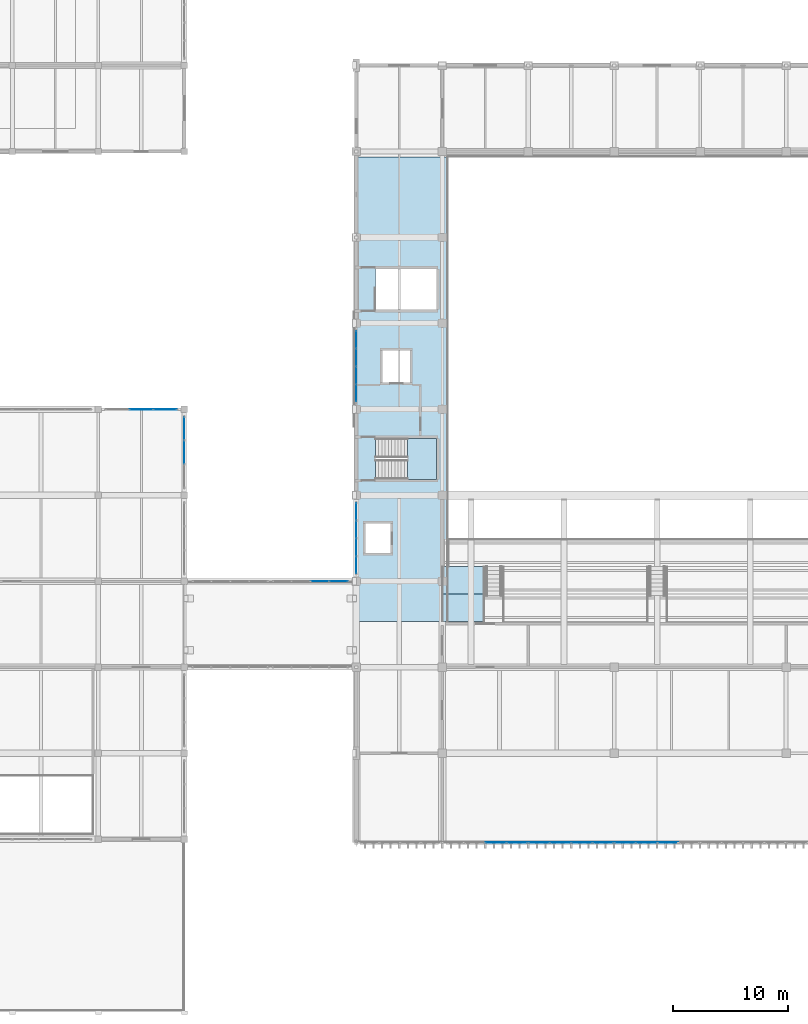
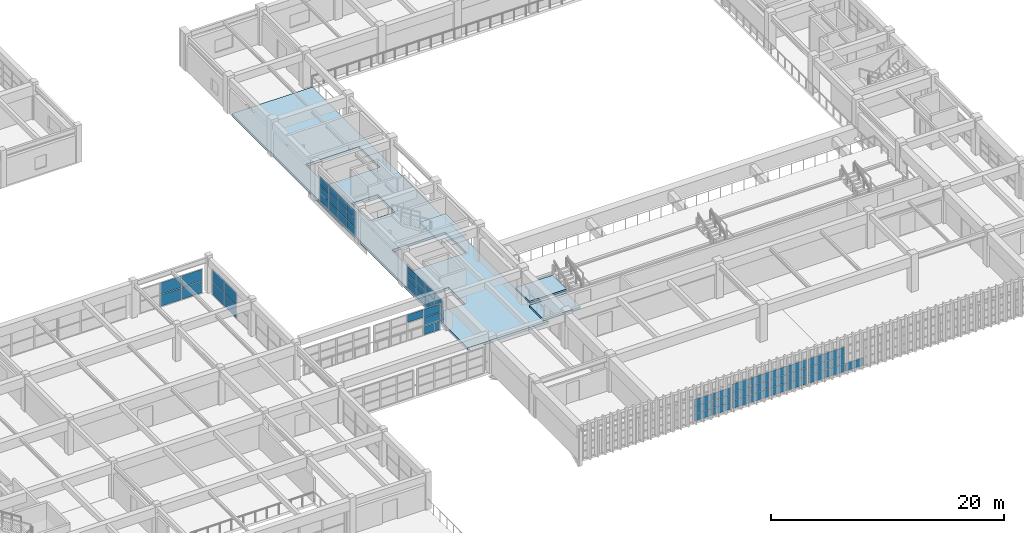
# One storey, part 64 of 101: 61 plates, 4 slabs, 9 elements without a shape of their own.
"""IFC4 building model written with IfcOpenShell, lengths in metres."""

from ifc_helpers import new_model, si_unit, direction, frame, origin, origin_2d, place, context, subcontext, project, spatial, polyline, rectangle, outline, extrude, material, layer, layer_set, type_object, element, aggregate, save


model = new_model("IFC4")

# Units and contexts
model_context = context("Model", 3, precision=1e-05, world=origin(), true_north=direction((0.0, 1.0)))
body_context = subcontext(model_context, "Body", "Model", "MODEL_VIEW")
ifc_project = project(units=[si_unit("LENGTHUNIT", "METRE"), si_unit("AREAUNIT", "SQUARE_METRE"), si_unit("VOLUMEUNIT", "CUBIC_METRE"), si_unit("PLANEANGLEUNIT", "RADIAN"), si_unit("MASSUNIT", "GRAM", prefix="KILO")], contexts=[model_context])

# Site, building, storey
site_placement = place(None, origin())
site = spatial("IfcSite", under=ifc_project, at=site_placement, CompositionType="ELEMENT")
building_placement = place(site_placement, origin())
building = spatial("IfcBuilding", under=site, at=building_placement, Name="Qasida Concert Hall", CompositionType="ELEMENT")
storey_placement = place(building_placement, frame((0.0, 0.0, 13.199951171875)))
storey = spatial("IfcBuildingStorey", under=building, at=storey_placement, Name="L03", CompositionType="ELEMENT", Elevation=13.199951171875)

# Curtain wall, plates
ifc_material_1 = material(Name="Architectural bronze-anodized aluminium and low-E glass", Category="aluminium")
curtain_wall_type_1 = type_object("IfcCurtainWallType", Name="CW-04", PredefinedType="NOTDEFINED", material=ifc_material_1)
curtain_wall_1_placement = place(storey_placement, origin())
curtain_wall_1 = element("IfcCurtainWall", 1, at=curtain_wall_1_placement, inside=storey, type_object=curtain_wall_type_1, Name="L03 curtain wall CW-04 0016", PredefinedType="NOTDEFINED")
ifc_material_2 = material(Name="Solar-control low-E double glazing", Category="glass")
ifc_layer_1 = layer(ifc_material_2, 0.031982421875, Name="Solar-control low-E double glazing")
ifc_layer_set_1 = layer_set([ifc_layer_1], Name="Solar-control low-E double glazing")
plate_type_1 = type_object("IfcPlateType", Name="PLT-CWP-2", PredefinedType="CURTAIN_PANEL", material=ifc_layer_set_1)
plate_1_placement = place(storey_placement, frame((64.6826171875, 14.699951171875, 0.06005859375), z_axis=(0.0, 0.0, 1.0), x_axis=(1.0, 0.0, 0.0)))
plate_1 = element("IfcPlate", 2, at=plate_1_placement, type_object=plate_type_1, Name="CW-04 panel 3.1", PredefinedType="CURTAIN_PANEL", context=body_context, shape_type="SweptSolid", body=[
    extrude(rectangle(XDim=1.800048828125, YDim=0.031982421875, at=origin_2d()), origin(), (0.0, 0.0, 1.0), 0.706787109375),
])
plate_2_placement = place(storey_placement, frame((64.6826171875, 14.699951171875, 0.82666015625), z_axis=(0.0, 0.0, 1.0), x_axis=(1.0, 0.0, 0.0)))
plate_2 = element("IfcPlate", 3, at=plate_2_placement, type_object=plate_type_1, Name="CW-04 panel 3.2", PredefinedType="CURTAIN_PANEL", context=body_context, shape_type="SweptSolid", body=[
    extrude(rectangle(XDim=1.800048828125, YDim=0.031982421875, at=origin_2d()), origin(), (0.0, 0.0, 1.0), 0.736572265625),
])
plate_3_placement = place(storey_placement, frame((64.6826171875, 14.699951171875, 1.62353515625), z_axis=(0.0, 0.0, 1.0), x_axis=(1.0, 0.0, 0.0)))
plate_3 = element("IfcPlate", 4, at=plate_3_placement, type_object=plate_type_1, Name="CW-04 panel 3.3", PredefinedType="CURTAIN_PANEL", context=body_context, shape_type="SweptSolid", body=[
    extrude(rectangle(XDim=1.800048828125, YDim=0.031982421875, at=origin_2d()), origin(), (0.0, 0.0, 1.0), 0.706787109375),
])
plate_4_placement = place(storey_placement, frame((66.53125, 14.699951171875, 0.06005859375), z_axis=(0.0, 0.0, 1.0), x_axis=(1.0, 0.0, 0.0)))
plate_4 = element("IfcPlate", 5, at=plate_4_placement, type_object=plate_type_1, Name="CW-04 panel 4.1", PredefinedType="CURTAIN_PANEL", context=body_context, shape_type="SweptSolid", body=[
    extrude(rectangle(XDim=1.767578125, YDim=0.031982421875, at=origin_2d()), origin(), (0.0, 0.0, 1.0), 0.706787109375),
])
plate_5_placement = place(storey_placement, frame((66.53125, 14.699951171875, 0.82666015625), z_axis=(0.0, 0.0, 1.0), x_axis=(1.0, 0.0, 0.0)))
plate_5 = element("IfcPlate", 6, at=plate_5_placement, type_object=plate_type_1, Name="CW-04 panel 4.2", PredefinedType="CURTAIN_PANEL", context=body_context, shape_type="SweptSolid", body=[
    extrude(rectangle(XDim=1.767578125, YDim=0.031982421875, at=origin_2d()), origin(), (0.0, 0.0, 1.0), 0.736572265625),
])
plate_6_placement = place(storey_placement, frame((66.53125, 14.699951171875, 1.62353515625), z_axis=(0.0, 0.0, 1.0), x_axis=(1.0, 0.0, 0.0)))
plate_6 = element("IfcPlate", 7, at=plate_6_placement, type_object=plate_type_1, Name="CW-04 panel 4.3", PredefinedType="CURTAIN_PANEL", context=body_context, shape_type="SweptSolid", body=[
    extrude(rectangle(XDim=1.767578125, YDim=0.031982421875, at=origin_2d()), origin(), (0.0, 0.0, 1.0), 0.706787109375),
])
aggregate(curtain_wall_1, [plate_1, plate_2, plate_3, plate_4, plate_5, plate_6])

curtain_wall_2_placement = place(storey_placement, origin())
curtain_wall_2 = element("IfcCurtainWall", 8, at=curtain_wall_2_placement, inside=storey, type_object=curtain_wall_type_1, Name="L03 curtain wall CW-04 0017", PredefinedType="NOTDEFINED")
plate_7_placement = place(storey_placement, frame((68.46875, 14.699951171875, 0.06005859375), z_axis=(0.0, 0.0, 1.0), x_axis=(1.0, 0.0, 0.0)))
plate_7 = element("IfcPlate", 9, at=plate_7_placement, type_object=plate_type_1, Name="CW-04 panel 1.1", PredefinedType="CURTAIN_PANEL", context=body_context, shape_type="SweptSolid", body=[
    extrude(rectangle(XDim=1.767578125, YDim=0.031982421875, at=origin_2d()), origin(), (0.0, 0.0, 1.0), 0.806640625),
])
plate_8_placement = place(storey_placement, frame((68.46875, 14.699951171875, 0.9267578125), z_axis=(0.0, 0.0, 1.0), x_axis=(1.0, 0.0, 0.0)))
plate_8 = element("IfcPlate", 10, at=plate_8_placement, type_object=plate_type_1, Name="CW-04 panel 1.2", PredefinedType="CURTAIN_PANEL", context=body_context, shape_type="SweptSolid", body=[
    extrude(rectangle(XDim=1.767578125, YDim=0.031982421875, at=origin_2d()), origin(), (0.0, 0.0, 1.0), 0.836669921875),
])
plate_9_placement = place(storey_placement, frame((68.46875, 14.699951171875, 1.823486328125), z_axis=(0.0, 0.0, 1.0), x_axis=(1.0, 0.0, 0.0)))
plate_9 = element("IfcPlate", 11, at=plate_9_placement, type_object=plate_type_1, Name="CW-04 panel 1.3", PredefinedType="CURTAIN_PANEL", context=body_context, shape_type="SweptSolid", body=[
    extrude(rectangle(XDim=1.767578125, YDim=0.031982421875, at=origin_2d()), origin(), (0.0, 0.0, 1.0), 0.806640625),
])
plate_10_placement = place(storey_placement, frame((70.3173828125, 14.699951171875, 0.06005859375), z_axis=(0.0, 0.0, 1.0), x_axis=(1.0, 0.0, 0.0)))
plate_10 = element("IfcPlate", 12, at=plate_10_placement, type_object=plate_type_1, Name="CW-04 panel 2.1", PredefinedType="CURTAIN_PANEL", context=body_context, shape_type="SweptSolid", body=[
    extrude(rectangle(XDim=1.800048828125, YDim=0.031982421875, at=origin_2d()), origin(), (0.0, 0.0, 1.0), 0.806640625),
])
plate_11_placement = place(storey_placement, frame((70.3173828125, 14.699951171875, 0.9267578125), z_axis=(0.0, 0.0, 1.0), x_axis=(1.0, 0.0, 0.0)))
plate_11 = element("IfcPlate", 13, at=plate_11_placement, type_object=plate_type_1, Name="CW-04 panel 2.2", PredefinedType="CURTAIN_PANEL", context=body_context, shape_type="SweptSolid", body=[
    extrude(rectangle(XDim=1.800048828125, YDim=0.031982421875, at=origin_2d()), origin(), (0.0, 0.0, 1.0), 0.836669921875),
])
plate_12_placement = place(storey_placement, frame((70.3173828125, 14.699951171875, 1.823486328125), z_axis=(0.0, 0.0, 1.0), x_axis=(1.0, 0.0, 0.0)))
plate_12 = element("IfcPlate", 14, at=plate_12_placement, type_object=plate_type_1, Name="CW-04 panel 2.3", PredefinedType="CURTAIN_PANEL", context=body_context, shape_type="SweptSolid", body=[
    extrude(rectangle(XDim=1.800048828125, YDim=0.031982421875, at=origin_2d()), origin(), (0.0, 0.0, 1.0), 0.806640625),
])
plate_13_placement = place(storey_placement, frame((72.1826171875, 14.699951171875, 0.06005859375), z_axis=(0.0, 0.0, 1.0), x_axis=(1.0, 0.0, 0.0)))
plate_13 = element("IfcPlate", 15, at=plate_13_placement, type_object=plate_type_1, Name="CW-04 panel 3.1", PredefinedType="CURTAIN_PANEL", context=body_context, shape_type="SweptSolid", body=[
    extrude(rectangle(XDim=1.800048828125, YDim=0.031982421875, at=origin_2d()), origin(), (0.0, 0.0, 1.0), 0.806640625),
])
plate_14_placement = place(storey_placement, frame((72.1826171875, 14.699951171875, 0.9267578125), z_axis=(0.0, 0.0, 1.0), x_axis=(1.0, 0.0, 0.0)))
plate_14 = element("IfcPlate", 16, at=plate_14_placement, type_object=plate_type_1, Name="CW-04 panel 3.2", PredefinedType="CURTAIN_PANEL", context=body_context, shape_type="SweptSolid", body=[
    extrude(rectangle(XDim=1.800048828125, YDim=0.031982421875, at=origin_2d()), origin(), (0.0, 0.0, 1.0), 0.836669921875),
])
plate_15_placement = place(storey_placement, frame((72.1826171875, 14.699951171875, 1.823486328125), z_axis=(0.0, 0.0, 1.0), x_axis=(1.0, 0.0, 0.0)))
plate_15 = element("IfcPlate", 17, at=plate_15_placement, type_object=plate_type_1, Name="CW-04 panel 3.3", PredefinedType="CURTAIN_PANEL", context=body_context, shape_type="SweptSolid", body=[
    extrude(rectangle(XDim=1.800048828125, YDim=0.031982421875, at=origin_2d()), origin(), (0.0, 0.0, 1.0), 0.806640625),
])
plate_16_placement = place(storey_placement, frame((74.03125, 14.699951171875, 0.06005859375), z_axis=(0.0, 0.0, 1.0), x_axis=(1.0, 0.0, 0.0)))
plate_16 = element("IfcPlate", 18, at=plate_16_placement, type_object=plate_type_1, Name="CW-04 panel 4.1", PredefinedType="CURTAIN_PANEL", context=body_context, shape_type="SweptSolid", body=[
    extrude(rectangle(XDim=1.767578125, YDim=0.031982421875, at=origin_2d()), origin(), (0.0, 0.0, 1.0), 0.806640625),
])
plate_17_placement = place(storey_placement, frame((74.03125, 14.699951171875, 0.9267578125), z_axis=(0.0, 0.0, 1.0), x_axis=(1.0, 0.0, 0.0)))
plate_17 = element("IfcPlate", 19, at=plate_17_placement, type_object=plate_type_1, Name="CW-04 panel 4.2", PredefinedType="CURTAIN_PANEL", context=body_context, shape_type="SweptSolid", body=[
    extrude(rectangle(XDim=1.767578125, YDim=0.031982421875, at=origin_2d()), origin(), (0.0, 0.0, 1.0), 0.836669921875),
])
plate_18_placement = place(storey_placement, frame((74.03125, 14.699951171875, 1.823486328125), z_axis=(0.0, 0.0, 1.0), x_axis=(1.0, 0.0, 0.0)))
plate_18 = element("IfcPlate", 20, at=plate_18_placement, type_object=plate_type_1, Name="CW-04 panel 4.3", PredefinedType="CURTAIN_PANEL", context=body_context, shape_type="SweptSolid", body=[
    extrude(rectangle(XDim=1.767578125, YDim=0.031982421875, at=origin_2d()), origin(), (0.0, 0.0, 1.0), 0.806640625),
])
aggregate(curtain_wall_2, [plate_7, plate_8, plate_9, plate_10, plate_11, plate_12, plate_13, plate_14, plate_15, plate_16, plate_17, plate_18])

curtain_wall_3_placement = place(storey_placement, origin())
curtain_wall_3 = element("IfcCurtainWall", 21, at=curtain_wall_3_placement, inside=storey, type_object=curtain_wall_type_1, Name="L03 curtain wall CW-04 0018", PredefinedType="NOTDEFINED")
plate_19_placement = place(storey_placement, frame((75.96875, 14.699951171875, 0.06005859375), z_axis=(0.0, 0.0, 1.0), x_axis=(1.0, 0.0, 0.0)))
plate_19 = element("IfcPlate", 22, at=plate_19_placement, type_object=plate_type_1, Name="CW-04 panel 1.1", PredefinedType="CURTAIN_PANEL", context=body_context, shape_type="SweptSolid", body=[
    extrude(rectangle(XDim=1.767578125, YDim=0.031982421875, at=origin_2d()), origin(), (0.0, 0.0, 1.0), 0.806640625),
])
plate_20_placement = place(storey_placement, frame((75.96875, 14.699951171875, 0.9267578125), z_axis=(0.0, 0.0, 1.0), x_axis=(1.0, 0.0, 0.0)))
plate_20 = element("IfcPlate", 23, at=plate_20_placement, type_object=plate_type_1, Name="CW-04 panel 1.2", PredefinedType="CURTAIN_PANEL", context=body_context, shape_type="SweptSolid", body=[
    extrude(rectangle(XDim=1.767578125, YDim=0.031982421875, at=origin_2d()), origin(), (0.0, 0.0, 1.0), 0.836669921875),
])
plate_21_placement = place(storey_placement, frame((75.96875, 14.699951171875, 1.823486328125), z_axis=(0.0, 0.0, 1.0), x_axis=(1.0, 0.0, 0.0)))
plate_21 = element("IfcPlate", 24, at=plate_21_placement, type_object=plate_type_1, Name="CW-04 panel 1.3", PredefinedType="CURTAIN_PANEL", context=body_context, shape_type="SweptSolid", body=[
    extrude(rectangle(XDim=1.767578125, YDim=0.031982421875, at=origin_2d()), origin(), (0.0, 0.0, 1.0), 0.806640625),
])
plate_22_placement = place(storey_placement, frame((77.8173828125, 14.699951171875, 0.06005859375), z_axis=(0.0, 0.0, 1.0), x_axis=(1.0, 0.0, 0.0)))
plate_22 = element("IfcPlate", 25, at=plate_22_placement, type_object=plate_type_1, Name="CW-04 panel 2.1", PredefinedType="CURTAIN_PANEL", context=body_context, shape_type="SweptSolid", body=[
    extrude(rectangle(XDim=1.800048828125, YDim=0.031982421875, at=origin_2d()), origin(), (0.0, 0.0, 1.0), 0.806640625),
])
plate_23_placement = place(storey_placement, frame((77.8173828125, 14.699951171875, 0.9267578125), z_axis=(0.0, 0.0, 1.0), x_axis=(1.0, 0.0, 0.0)))
plate_23 = element("IfcPlate", 26, at=plate_23_placement, type_object=plate_type_1, Name="CW-04 panel 2.2", PredefinedType="CURTAIN_PANEL", context=body_context, shape_type="SweptSolid", body=[
    extrude(rectangle(XDim=1.800048828125, YDim=0.031982421875, at=origin_2d()), origin(), (0.0, 0.0, 1.0), 0.836669921875),
])
plate_24_placement = place(storey_placement, frame((77.8173828125, 14.699951171875, 1.823486328125), z_axis=(0.0, 0.0, 1.0), x_axis=(1.0, 0.0, 0.0)))
plate_24 = element("IfcPlate", 27, at=plate_24_placement, type_object=plate_type_1, Name="CW-04 panel 2.3", PredefinedType="CURTAIN_PANEL", context=body_context, shape_type="SweptSolid", body=[
    extrude(rectangle(XDim=1.800048828125, YDim=0.031982421875, at=origin_2d()), origin(), (0.0, 0.0, 1.0), 0.806640625),
])
plate_25_placement = place(storey_placement, frame((79.6826171875, 14.699951171875, 0.06005859375), z_axis=(0.0, 0.0, 1.0), x_axis=(1.0, 0.0, 0.0)))
plate_25 = element("IfcPlate", 28, at=plate_25_placement, type_object=plate_type_1, Name="CW-04 panel 3.1", PredefinedType="CURTAIN_PANEL", context=body_context, shape_type="SweptSolid", body=[
    extrude(rectangle(XDim=1.800048828125, YDim=0.031982421875, at=origin_2d()), origin(), (0.0, 0.0, 1.0), 0.806640625),
])
aggregate(curtain_wall_3, [plate_19, plate_20, plate_21, plate_22, plate_23, plate_24, plate_25])

curtain_wall_4_placement = place(storey_placement, origin())
curtain_wall_4 = element("IfcCurtainWall", 29, at=curtain_wall_4_placement, inside=storey, type_object=curtain_wall_type_1, Name="L03 curtain wall CW-04 0052", PredefinedType="NOTDEFINED")
plate_26_placement = place(storey_placement, frame((52.5, 38.918701171875, 0.06005859375), z_axis=(0.0, 0.0, 1.0), x_axis=(0.0, 1.0, 0.0)))
plate_26 = element("IfcPlate", 30, at=plate_26_placement, type_object=plate_type_1, Name="CW-04 panel 1.1", PredefinedType="CURTAIN_PANEL", context=body_context, shape_type="SweptSolid", body=[
    extrude(rectangle(XDim=1.467529296875, YDim=0.031982421875, at=origin_2d()), origin(), (0.0, 0.0, 1.0), 0.706787109375),
])
plate_27_placement = place(storey_placement, frame((52.5, 38.918701171875, 0.82666015625), z_axis=(0.0, 0.0, 1.0), x_axis=(0.0, 1.0, 0.0)))
plate_27 = element("IfcPlate", 31, at=plate_27_placement, type_object=plate_type_1, Name="CW-04 panel 1.2", PredefinedType="CURTAIN_PANEL", context=body_context, shape_type="SweptSolid", body=[
    extrude(rectangle(XDim=1.467529296875, YDim=0.031982421875, at=origin_2d()), origin(), (0.0, 0.0, 1.0), 0.736572265625),
])
plate_28_placement = place(storey_placement, frame((52.5, 38.918701171875, 1.62353515625), z_axis=(0.0, 0.0, 1.0), x_axis=(0.0, 1.0, 0.0)))
plate_28 = element("IfcPlate", 32, at=plate_28_placement, type_object=plate_type_1, Name="CW-04 panel 1.3", PredefinedType="CURTAIN_PANEL", context=body_context, shape_type="SweptSolid", body=[
    extrude(rectangle(XDim=1.467529296875, YDim=0.031982421875, at=origin_2d()), origin(), (0.0, 0.0, 1.0), 0.706787109375),
])
plate_29_placement = place(storey_placement, frame((52.5, 40.467529296875, 0.06005859375), z_axis=(0.0, 0.0, 1.0), x_axis=(0.0, 1.0, 0.0)))
plate_29 = element("IfcPlate", 33, at=plate_29_placement, type_object=plate_type_1, Name="CW-04 panel 2.1", PredefinedType="CURTAIN_PANEL", context=body_context, shape_type="SweptSolid", body=[
    extrude(rectangle(XDim=1.5, YDim=0.031982421875, at=origin_2d()), origin(), (0.0, 0.0, 1.0), 0.706787109375),
])
plate_30_placement = place(storey_placement, frame((52.5, 40.467529296875, 0.82666015625), z_axis=(0.0, 0.0, 1.0), x_axis=(0.0, 1.0, 0.0)))
plate_30 = element("IfcPlate", 34, at=plate_30_placement, type_object=plate_type_1, Name="CW-04 panel 2.2", PredefinedType="CURTAIN_PANEL", context=body_context, shape_type="SweptSolid", body=[
    extrude(rectangle(XDim=1.5, YDim=0.031982421875, at=origin_2d()), origin(), (0.0, 0.0, 1.0), 0.736572265625),
])
plate_31_placement = place(storey_placement, frame((52.5, 40.467529296875, 1.62353515625), z_axis=(0.0, 0.0, 1.0), x_axis=(0.0, 1.0, 0.0)))
plate_31 = element("IfcPlate", 35, at=plate_31_placement, type_object=plate_type_1, Name="CW-04 panel 2.3", PredefinedType="CURTAIN_PANEL", context=body_context, shape_type="SweptSolid", body=[
    extrude(rectangle(XDim=1.5, YDim=0.031982421875, at=origin_2d()), origin(), (0.0, 0.0, 1.0), 0.706787109375),
])
plate_32_placement = place(storey_placement, frame((52.5, 42.032470703125, 0.06005859375), z_axis=(0.0, 0.0, 1.0), x_axis=(0.0, 1.0, 0.0)))
plate_32 = element("IfcPlate", 36, at=plate_32_placement, type_object=plate_type_1, Name="CW-04 panel 3.1", PredefinedType="CURTAIN_PANEL", context=body_context, shape_type="SweptSolid", body=[
    extrude(rectangle(XDim=1.5, YDim=0.031982421875, at=origin_2d()), origin(), (0.0, 0.0, 1.0), 0.706787109375),
])
plate_33_placement = place(storey_placement, frame((52.5, 42.032470703125, 0.82666015625), z_axis=(0.0, 0.0, 1.0), x_axis=(0.0, 1.0, 0.0)))
plate_33 = element("IfcPlate", 37, at=plate_33_placement, type_object=plate_type_1, Name="CW-04 panel 3.2", PredefinedType="CURTAIN_PANEL", context=body_context, shape_type="SweptSolid", body=[
    extrude(rectangle(XDim=1.5, YDim=0.031982421875, at=origin_2d()), origin(), (0.0, 0.0, 1.0), 0.736572265625),
])
plate_34_placement = place(storey_placement, frame((52.5, 42.032470703125, 1.62353515625), z_axis=(0.0, 0.0, 1.0), x_axis=(0.0, 1.0, 0.0)))
plate_34 = element("IfcPlate", 38, at=plate_34_placement, type_object=plate_type_1, Name="CW-04 panel 3.3", PredefinedType="CURTAIN_PANEL", context=body_context, shape_type="SweptSolid", body=[
    extrude(rectangle(XDim=1.5, YDim=0.031982421875, at=origin_2d()), origin(), (0.0, 0.0, 1.0), 0.706787109375),
])
plate_35_placement = place(storey_placement, frame((52.5, 43.581298828125, 0.06005859375), z_axis=(0.0, 0.0, 1.0), x_axis=(0.0, 1.0, 0.0)))
plate_35 = element("IfcPlate", 39, at=plate_35_placement, type_object=plate_type_1, Name="CW-04 panel 4.1", PredefinedType="CURTAIN_PANEL", context=body_context, shape_type="SweptSolid", body=[
    extrude(rectangle(XDim=1.467529296875, YDim=0.031982421875, at=origin_2d()), origin(), (0.0, 0.0, 1.0), 0.706787109375),
])
plate_36_placement = place(storey_placement, frame((52.5, 43.581298828125, 0.82666015625), z_axis=(0.0, 0.0, 1.0), x_axis=(0.0, 1.0, 0.0)))
plate_36 = element("IfcPlate", 40, at=plate_36_placement, type_object=plate_type_1, Name="CW-04 panel 4.2", PredefinedType="CURTAIN_PANEL", context=body_context, shape_type="SweptSolid", body=[
    extrude(rectangle(XDim=1.467529296875, YDim=0.031982421875, at=origin_2d()), origin(), (0.0, 0.0, 1.0), 0.736572265625),
])
plate_37_placement = place(storey_placement, frame((52.5, 43.581298828125, 1.62353515625), z_axis=(0.0, 0.0, 1.0), x_axis=(0.0, 1.0, 0.0)))
plate_37 = element("IfcPlate", 41, at=plate_37_placement, type_object=plate_type_1, Name="CW-04 panel 4.3", PredefinedType="CURTAIN_PANEL", context=body_context, shape_type="SweptSolid", body=[
    extrude(rectangle(XDim=1.467529296875, YDim=0.031982421875, at=origin_2d()), origin(), (0.0, 0.0, 1.0), 0.706787109375),
])
aggregate(curtain_wall_4, [plate_26, plate_27, plate_28, plate_29, plate_30, plate_31, plate_32, plate_33, plate_34, plate_35, plate_36, plate_37])

curtain_wall_5_placement = place(storey_placement, origin())
curtain_wall_5 = element("IfcCurtainWall", 42, at=curtain_wall_5_placement, inside=storey, type_object=curtain_wall_type_1, Name="L03 curtain wall CW-04 0054", PredefinedType="NOTDEFINED")
plate_38_placement = place(storey_placement, frame((52.5, 53.918701171875, 0.06005859375), z_axis=(0.0, 0.0, 1.0), x_axis=(0.0, 1.0, 0.0)))
plate_38 = element("IfcPlate", 43, at=plate_38_placement, type_object=plate_type_1, Name="CW-04 panel 1.1", PredefinedType="CURTAIN_PANEL", context=body_context, shape_type="SweptSolid", body=[
    extrude(rectangle(XDim=1.467529296875, YDim=0.031982421875, at=origin_2d()), origin(), (0.0, 0.0, 1.0), 0.806640625),
])
plate_39_placement = place(storey_placement, frame((52.5, 53.918701171875, 0.9267578125), z_axis=(0.0, 0.0, 1.0), x_axis=(0.0, 1.0, 0.0)))
plate_39 = element("IfcPlate", 44, at=plate_39_placement, type_object=plate_type_1, Name="CW-04 panel 1.2", PredefinedType="CURTAIN_PANEL", context=body_context, shape_type="SweptSolid", body=[
    extrude(rectangle(XDim=1.467529296875, YDim=0.031982421875, at=origin_2d()), origin(), (0.0, 0.0, 1.0), 0.836669921875),
])
plate_40_placement = place(storey_placement, frame((52.5, 53.918701171875, 1.823486328125), z_axis=(0.0, 0.0, 1.0), x_axis=(0.0, 1.0, 0.0)))
plate_40 = element("IfcPlate", 45, at=plate_40_placement, type_object=plate_type_1, Name="CW-04 panel 1.3", PredefinedType="CURTAIN_PANEL", context=body_context, shape_type="SweptSolid", body=[
    extrude(rectangle(XDim=1.467529296875, YDim=0.031982421875, at=origin_2d()), origin(), (0.0, 0.0, 1.0), 0.806640625),
])
plate_41_placement = place(storey_placement, frame((52.5, 55.467529296875, 0.06005859375), z_axis=(0.0, 0.0, 1.0), x_axis=(0.0, 1.0, 0.0)))
plate_41 = element("IfcPlate", 46, at=plate_41_placement, type_object=plate_type_1, Name="CW-04 panel 2.1", PredefinedType="CURTAIN_PANEL", context=body_context, shape_type="SweptSolid", body=[
    extrude(rectangle(XDim=1.5, YDim=0.031982421875, at=origin_2d()), origin(), (0.0, 0.0, 1.0), 0.806640625),
])
plate_42_placement = place(storey_placement, frame((52.5, 55.467529296875, 0.9267578125), z_axis=(0.0, 0.0, 1.0), x_axis=(0.0, 1.0, 0.0)))
plate_42 = element("IfcPlate", 47, at=plate_42_placement, type_object=plate_type_1, Name="CW-04 panel 2.2", PredefinedType="CURTAIN_PANEL", context=body_context, shape_type="SweptSolid", body=[
    extrude(rectangle(XDim=1.5, YDim=0.031982421875, at=origin_2d()), origin(), (0.0, 0.0, 1.0), 0.836669921875),
])
plate_43_placement = place(storey_placement, frame((52.5, 55.467529296875, 1.823486328125), z_axis=(0.0, 0.0, 1.0), x_axis=(0.0, 1.0, 0.0)))
plate_43 = element("IfcPlate", 48, at=plate_43_placement, type_object=plate_type_1, Name="CW-04 panel 2.3", PredefinedType="CURTAIN_PANEL", context=body_context, shape_type="SweptSolid", body=[
    extrude(rectangle(XDim=1.5, YDim=0.031982421875, at=origin_2d()), origin(), (0.0, 0.0, 1.0), 0.806640625),
])
plate_44_placement = place(storey_placement, frame((52.5, 57.032470703125, 0.06005859375), z_axis=(0.0, 0.0, 1.0), x_axis=(0.0, 1.0, 0.0)))
plate_44 = element("IfcPlate", 49, at=plate_44_placement, type_object=plate_type_1, Name="CW-04 panel 3.1", PredefinedType="CURTAIN_PANEL", context=body_context, shape_type="SweptSolid", body=[
    extrude(rectangle(XDim=1.5, YDim=0.031982421875, at=origin_2d()), origin(), (0.0, 0.0, 1.0), 0.806640625),
])
plate_45_placement = place(storey_placement, frame((52.5, 57.032470703125, 0.9267578125), z_axis=(0.0, 0.0, 1.0), x_axis=(0.0, 1.0, 0.0)))
plate_45 = element("IfcPlate", 50, at=plate_45_placement, type_object=plate_type_1, Name="CW-04 panel 3.2", PredefinedType="CURTAIN_PANEL", context=body_context, shape_type="SweptSolid", body=[
    extrude(rectangle(XDim=1.5, YDim=0.031982421875, at=origin_2d()), origin(), (0.0, 0.0, 1.0), 0.836669921875),
])
plate_46_placement = place(storey_placement, frame((52.5, 57.032470703125, 1.823486328125), z_axis=(0.0, 0.0, 1.0), x_axis=(0.0, 1.0, 0.0)))
plate_46 = element("IfcPlate", 51, at=plate_46_placement, type_object=plate_type_1, Name="CW-04 panel 3.3", PredefinedType="CURTAIN_PANEL", context=body_context, shape_type="SweptSolid", body=[
    extrude(rectangle(XDim=1.5, YDim=0.031982421875, at=origin_2d()), origin(), (0.0, 0.0, 1.0), 0.806640625),
])
plate_47_placement = place(storey_placement, frame((52.5, 58.581298828125, 0.06005859375), z_axis=(0.0, 0.0, 1.0), x_axis=(0.0, 1.0, 0.0)))
plate_47 = element("IfcPlate", 52, at=plate_47_placement, type_object=plate_type_1, Name="CW-04 panel 4.1", PredefinedType="CURTAIN_PANEL", context=body_context, shape_type="SweptSolid", body=[
    extrude(rectangle(XDim=1.467529296875, YDim=0.031982421875, at=origin_2d()), origin(), (0.0, 0.0, 1.0), 0.806640625),
])
plate_48_placement = place(storey_placement, frame((52.5, 58.581298828125, 0.9267578125), z_axis=(0.0, 0.0, 1.0), x_axis=(0.0, 1.0, 0.0)))
plate_48 = element("IfcPlate", 53, at=plate_48_placement, type_object=plate_type_1, Name="CW-04 panel 4.2", PredefinedType="CURTAIN_PANEL", context=body_context, shape_type="SweptSolid", body=[
    extrude(rectangle(XDim=1.467529296875, YDim=0.031982421875, at=origin_2d()), origin(), (0.0, 0.0, 1.0), 0.836669921875),
])
plate_49_placement = place(storey_placement, frame((52.5, 58.581298828125, 1.823486328125), z_axis=(0.0, 0.0, 1.0), x_axis=(0.0, 1.0, 0.0)))
plate_49 = element("IfcPlate", 54, at=plate_49_placement, type_object=plate_type_1, Name="CW-04 panel 4.3", PredefinedType="CURTAIN_PANEL", context=body_context, shape_type="SweptSolid", body=[
    extrude(rectangle(XDim=1.467529296875, YDim=0.031982421875, at=origin_2d()), origin(), (0.0, 0.0, 1.0), 0.806640625),
])
aggregate(curtain_wall_5, [plate_38, plate_39, plate_40, plate_41, plate_42, plate_43, plate_44, plate_45, plate_46, plate_47, plate_48, plate_49])

curtain_wall_type_2 = type_object("IfcCurtainWallType", Name="CW-09", PredefinedType="NOTDEFINED", material=ifc_material_1)
curtain_wall_6_placement = place(storey_placement, origin())
curtain_wall_6 = element("IfcCurtainWall", 55, at=curtain_wall_6_placement, inside=storey, type_object=curtain_wall_type_2, Name="L03 curtain wall CW-09 0124", PredefinedType="NOTDEFINED")
ifc_layer_2 = layer(ifc_material_2, 0.028076171875, Name="Solar-control low-E double glazing")
ifc_layer_set_2 = layer_set([ifc_layer_2], Name="Solar-control low-E double glazing")
plate_type_2 = type_object("IfcPlateType", Name="PLT-CWP-3", PredefinedType="CURTAIN_PANEL", material=ifc_layer_set_2)
plate_50_placement = place(storey_placement, frame((33.75, 52.5, 0.06005859375), z_axis=(0.0, 0.0, 1.0), x_axis=(1.0, 0.0, 0.0)))
plate_50 = element("IfcPlate", 56, at=plate_50_placement, type_object=plate_type_2, Name="CW-09 panel 2.1", PredefinedType="CURTAIN_PANEL", context=body_context, shape_type="SweptSolid", body=[
    extrude(rectangle(XDim=2.026611328125, YDim=0.028076171875, at=origin_2d()), origin(), (0.0, 0.0, 1.0), 1.205078125),
])
plate_51_placement = place(storey_placement, frame((33.75, 52.5, 1.324951171875), z_axis=(0.0, 0.0, 1.0), x_axis=(1.0, 0.0, 0.0)))
plate_51 = element("IfcPlate", 57, at=plate_51_placement, type_object=plate_type_2, Name="CW-09 panel 2.2", PredefinedType="CURTAIN_PANEL", context=body_context, shape_type="SweptSolid", body=[
    extrude(rectangle(XDim=2.026611328125, YDim=0.028076171875, at=origin_2d()), origin(), (0.0, 0.0, 1.0), 1.205078125),
])
plate_52_placement = place(storey_placement, frame((35.82177734375, 52.5, 0.06005859375), z_axis=(0.0, 0.0, 1.0), x_axis=(1.0, 0.0, 0.0)))
plate_52 = element("IfcPlate", 58, at=plate_52_placement, type_object=plate_type_2, Name="CW-09 panel 3.1", PredefinedType="CURTAIN_PANEL", context=body_context, shape_type="SweptSolid", body=[
    extrude(rectangle(XDim=1.99658203125, YDim=0.028076171875, at=origin_2d()), origin(), (0.0, 0.0, 1.0), 1.205078125),
])
plate_53_placement = place(storey_placement, frame((35.82177734375, 52.5, 1.324951171875), z_axis=(0.0, 0.0, 1.0), x_axis=(1.0, 0.0, 0.0)))
plate_53 = element("IfcPlate", 59, at=plate_53_placement, type_object=plate_type_2, Name="CW-09 panel 3.2", PredefinedType="CURTAIN_PANEL", context=body_context, shape_type="SweptSolid", body=[
    extrude(rectangle(XDim=1.99658203125, YDim=0.028076171875, at=origin_2d()), origin(), (0.0, 0.0, 1.0), 1.205078125),
])
aggregate(curtain_wall_6, [plate_50, plate_51, plate_52, plate_53])

curtain_wall_7_placement = place(storey_placement, origin())
curtain_wall_7 = element("IfcCurtainWall", 60, at=curtain_wall_7_placement, inside=storey, type_object=curtain_wall_type_2, Name="L03 curtain wall CW-09 0129", PredefinedType="NOTDEFINED")
plate_54_placement = place(storey_placement, frame((37.5, 48.75, 0.06005859375), z_axis=(0.0, 0.0, 1.0), x_axis=(0.0, 1.0, 0.0)))
plate_54 = element("IfcPlate", 61, at=plate_54_placement, type_object=plate_type_2, Name="CW-09 panel 2.1", PredefinedType="CURTAIN_PANEL", context=body_context, shape_type="SweptSolid", body=[
    extrude(rectangle(XDim=2.026611328125, YDim=0.028076171875, at=origin_2d()), origin(), (0.0, 0.0, 1.0), 1.304931640625),
])
plate_55_placement = place(storey_placement, frame((37.5, 48.75, 1.42529296875), z_axis=(0.0, 0.0, 1.0), x_axis=(0.0, 1.0, 0.0)))
plate_55 = element("IfcPlate", 62, at=plate_55_placement, type_object=plate_type_2, Name="CW-09 panel 2.2", PredefinedType="CURTAIN_PANEL", context=body_context, shape_type="SweptSolid", body=[
    extrude(rectangle(XDim=2.026611328125, YDim=0.028076171875, at=origin_2d()), origin(), (0.0, 0.0, 1.0), 1.304931640625),
])
plate_56_placement = place(storey_placement, frame((37.5, 50.82177734375, 0.06005859375), z_axis=(0.0, 0.0, 1.0), x_axis=(0.0, 1.0, 0.0)))
plate_56 = element("IfcPlate", 63, at=plate_56_placement, type_object=plate_type_2, Name="CW-09 panel 3.1", PredefinedType="CURTAIN_PANEL", context=body_context, shape_type="SweptSolid", body=[
    extrude(rectangle(XDim=1.99658203125, YDim=0.028076171875, at=origin_2d()), origin(), (0.0, 0.0, 1.0), 1.304931640625),
])
plate_57_placement = place(storey_placement, frame((37.5, 50.82177734375, 1.42529296875), z_axis=(0.0, 0.0, 1.0), x_axis=(0.0, 1.0, 0.0)))
plate_57 = element("IfcPlate", 64, at=plate_57_placement, type_object=plate_type_2, Name="CW-09 panel 3.2", PredefinedType="CURTAIN_PANEL", context=body_context, shape_type="SweptSolid", body=[
    extrude(rectangle(XDim=1.99658203125, YDim=0.028076171875, at=origin_2d()), origin(), (0.0, 0.0, 1.0), 1.304931640625),
])
aggregate(curtain_wall_7, [plate_54, plate_55, plate_56, plate_57])

curtain_wall_8_placement = place(storey_placement, origin())
curtain_wall_8 = element("IfcCurtainWall", 65, at=curtain_wall_8_placement, inside=storey, type_object=curtain_wall_type_2, Name="L03 link bridge glazing 0209", PredefinedType="NOTDEFINED")
plate_58_placement = place(storey_placement, frame((49.324951171875, 37.5, 1.929931640625), z_axis=(0.0, 0.0, 1.0), x_axis=(1.0, 0.0, 0.0)))
plate_58 = element("IfcPlate", 66, at=plate_58_placement, type_object=plate_type_2, Name="CW-09 panel 3.3", PredefinedType="CURTAIN_PANEL", context=body_context, shape_type="SweptSolid", body=[
    extrude(rectangle(XDim=1.590087890625, YDim=0.028076171875, at=origin_2d()), origin(), (0.0, 0.0, 1.0), 0.81005859375),
])
plate_59_placement = place(storey_placement, frame((50.9599609375, 37.5, 0.06005859375), z_axis=(0.0, 0.0, 1.0), x_axis=(1.0, 0.0, 0.0)))
plate_59 = element("IfcPlate", 67, at=plate_59_placement, type_object=plate_type_2, Name="CW-09 panel 4.1", PredefinedType="CURTAIN_PANEL", context=body_context, shape_type="SweptSolid", body=[
    extrude(rectangle(XDim=1.56005859375, YDim=0.028076171875, at=origin_2d()), origin(), (0.0, 0.0, 1.0), 0.860107421875),
])
plate_60_placement = place(storey_placement, frame((50.9599609375, 37.5, 0.97998046875), z_axis=(0.0, 0.0, 1.0), x_axis=(1.0, 0.0, 0.0)))
plate_60 = element("IfcPlate", 68, at=plate_60_placement, type_object=plate_type_2, Name="CW-09 panel 4.2", PredefinedType="CURTAIN_PANEL", context=body_context, shape_type="SweptSolid", body=[
    extrude(rectangle(XDim=1.56005859375, YDim=0.028076171875, at=origin_2d()), origin(), (0.0, 0.0, 1.0), 0.889892578125),
])
plate_61_placement = place(storey_placement, frame((50.9599609375, 37.5, 1.929931640625), z_axis=(0.0, 0.0, 1.0), x_axis=(1.0, 0.0, 0.0)))
plate_61 = element("IfcPlate", 69, at=plate_61_placement, type_object=plate_type_2, Name="CW-09 panel 4.3", PredefinedType="CURTAIN_PANEL", context=body_context, shape_type="SweptSolid", body=[
    extrude(rectangle(XDim=1.56005859375, YDim=0.028076171875, at=origin_2d()), origin(), (0.0, 0.0, 1.0), 0.81005859375),
])
aggregate(curtain_wall_8, [plate_58, plate_59, plate_60, plate_61])

# Slab
ifc_material_3 = material(Name="Concrete C40/50", Category="concrete")
ifc_layer_3 = layer(ifc_material_3, 0.260009765625, Name="Concrete C40/50")
ifc_layer_set_3 = layer_set([ifc_layer_3], Name="Concrete C40/50")
slab_type_1 = type_object("IfcSlabType", Name="SL-FS-260", PredefinedType="FLOOR", material=ifc_layer_set_3)
slab_1_placement = place(storey_placement, frame((0.0, 0.0, -0.260009765625)))
element("IfcSlab", 70, at=slab_1_placement, inside=storey, type_object=slab_type_1, Name="V1 second balcony west gallery (FS-260)", PredefinedType="FLOOR", context=body_context, shape_type="SweptSolid", body=[
    extrude(outline(polyline([(52.5, 34.0), (60.5, 34.0), (60.5, 74.5), (52.5, 74.5), (52.5, 34.0)]), holes=[polyline([(53.199951171875, 39.85009765625), (55.60009765625, 39.85009765625), (55.60009765625, 42.64990234375), (53.199951171875, 42.64990234375), (53.199951171875, 39.85009765625)]), polyline([(54.18994140625, 46.39990234375), (59.52001953125, 46.39990234375), (59.52001953125, 49.9599609375), (54.18994140625, 49.9599609375), (54.18994140625, 46.39990234375)]), polyline([(54.699951171875, 54.75), (57.300048828125, 54.75), (57.300048828125, 57.75), (54.699951171875, 57.75), (54.699951171875, 54.75)]), polyline([(54.18994140625, 61.199951171875), (59.52001953125, 61.199951171875), (59.52001953125, 64.760009765625), (54.18994140625, 64.760009765625), (54.18994140625, 61.199951171875)])]), origin(), (0.0, 0.0, 1.0), 0.260009765625),
])

# Stair, slab
stair_type = type_object("IfcStairType", Name="ST-DL-168", PredefinedType="HALF_TURN_STAIR", material=ifc_material_3)
stair_placement = place(storey_placement, origin())
stair = element("IfcStair", 71, at=stair_placement, inside=storey, type_object=stair_type, Name="L03 Exit stair ST-01", PredefinedType="HALF_TURN_STAIR")
ifc_layer_4 = layer(ifc_material_3, 0.199951171875, Name="Concrete C40/50")
ifc_layer_set_4 = layer_set([ifc_layer_4], Name="Concrete C40/50")
slab_type_2 = type_object("IfcSlabType", Name="SL-LND-200", PredefinedType="LANDING", material=ifc_layer_set_4)
slab_2_placement = place(storey_placement, frame((0.0, 0.0, 1.75)))
slab_2 = element("IfcSlab", 72, at=slab_2_placement, type_object=slab_type_2, Name="ST-01 landing 1", PredefinedType="LANDING", context=body_context, shape_type="SweptSolid", body=[
    extrude(outline(polyline([(56.97998046875, 46.39990234375), (59.52001953125, 46.39990234375), (59.52001953125, 49.9599609375), (56.97998046875, 49.9599609375), (56.97998046875, 46.39990234375)])), origin(), (0.0, 0.0, 1.0), 0.199951171875),
])
aggregate(stair, [slab_2])

# Slabs
ifc_layer_5 = layer(ifc_material_3, 0.199951171875, Name="Concrete C40/50")
ifc_layer_set_5 = layer_set([ifc_layer_5], Name="Concrete C40/50")
slab_type_3 = type_object("IfcSlabType", Name="SL-ST-TIER-200", PredefinedType="USERDEFINED", material=ifc_layer_set_5)
slab_3_placement = place(storey_placement, frame((0.0, 0.0, 0.199951171875)))
element("IfcSlab", 73, at=slab_3_placement, inside=storey, type_object=slab_type_3, Name="Stand symphony second balcony tier 1.1", ObjectType="SEATING TIER", PredefinedType="USERDEFINED", context=body_context, shape_type="SweptSolid", body=[
    extrude(outline(polyline([(60.0, 34.0), (63.699951171875, 34.0), (63.699951171875, 36.39990234375), (60.0, 36.39990234375), (60.0, 34.0)])), origin(), (0.0, 0.0, 1.0), 0.2001953125),
])
slab_4_placement = place(storey_placement, frame((0.0, 0.0, 0.60009765625)))
element("IfcSlab", 74, at=slab_4_placement, inside=storey, type_object=slab_type_3, Name="Stand symphony second balcony tier 2.1", ObjectType="SEATING TIER", PredefinedType="USERDEFINED", context=body_context, shape_type="SweptSolid", body=[
    extrude(outline(polyline([(60.0, 36.39990234375), (63.699951171875, 36.39990234375), (63.699951171875, 38.800048828125), (60.0, 38.800048828125), (60.0, 36.39990234375)])), origin(), (0.0, 0.0, 1.0), 0.199951171875),
])

save(model, "model.ifc")
